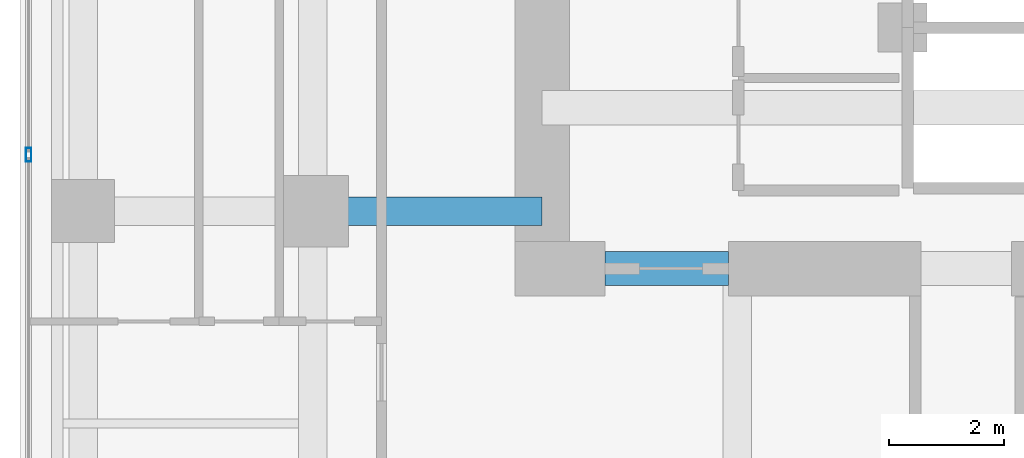
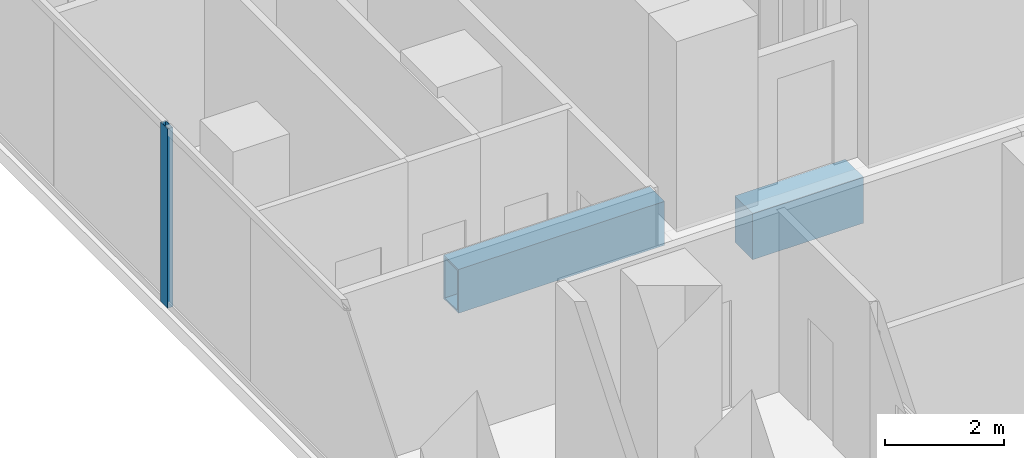
# One storey, part 6 of 29: 2 beams, 1 member, 1 element without a shape of its own.
"""IFC4 building model written with IfcOpenShell, lengths in metres."""

import ifcopenshell
import ifcopenshell.guid

model = None  # the IFC model being written
_history = None  # IfcOwnerHistory: only IFC2X3 demands one
_inside = {}  # id of a spatial element -> (the spatial element, [elements in it])
_under = {}  # id of a project, library or spatial element -> (it, [spatial elements below it])
_declared = {}  # id of a project -> (the project, [libraries it declares])
_typed = {}  # id of a type object -> (the type object, [elements of that type])
_made_of = {}  # id of a material, layer set ... -> (it, [elements and type objects made of it])


def new_model(schema):
    """Start an empty IFC model of exactly this schema.

    Asked for "IFC4X3", IfcOpenShell would pick the latest addendum, in which some entities
    have other attributes; the version numbers below select the first issue.
    IFC2X3 requires an IfcOwnerHistory on every rooted entity: one is made here for all.
    """
    global model, _history
    if schema == "IFC4X3":
        model = ifcopenshell.file(schema_version=(4, 3, 0, 0))
    else:
        model = ifcopenshell.file(schema=schema)
    _inside.clear()
    _under.clear()
    _declared.clear()
    _typed.clear()
    _made_of.clear()
    _history = None
    if model.schema == "IFC2X3":
        org = make("IfcOrganization", Name="unknown")
        user = make(
            "IfcPersonAndOrganization",
            ThePerson=make("IfcPerson", FamilyName="unknown"),
            TheOrganization=org,
        )
        app = make(
            "IfcApplication",
            ApplicationDeveloper=org,
            Version="unknown",
            ApplicationFullName="unknown",
            ApplicationIdentifier="unknown",
        )
        _history = make(
            "IfcOwnerHistory",
            OwningUser=user,
            OwningApplication=app,
            ChangeAction="ADDED",
            CreationDate=0,
        )
    return model


def make(cls, **values):
    """One entity of the class cls with the attributes given. An attribute that is None is left unset."""
    return model.create_entity(
        cls, **{name: value for name, value in values.items() if value is not None}
    )


def rooted(cls, **values):
    """An entity with a GlobalId (a new one), such as an element, a storey or a relation."""
    return make(cls, GlobalId=ifcopenshell.guid.new(), OwnerHistory=_history, **values)


def si_unit(unit_type, name, prefix=None):
    """IfcSIUnit, for example si_unit("LENGTHUNIT", "METRE", prefix="MILLI")."""
    return make("IfcSIUnit", UnitType=unit_type, Prefix=prefix, Name=name)


def assignment(units):
    """IfcUnitAssignment: the units of a project."""
    return None if units is None else make("IfcUnitAssignment", Units=units)


def point(xyz):
    """IfcCartesianPoint."""
    return None if xyz is None else make("IfcCartesianPoint", Coordinates=xyz)


def direction(xyz):
    """IfcDirection."""
    return None if xyz is None else make("IfcDirection", DirectionRatios=xyz)


def frame(location, z_axis=None, x_axis=None):
    """IfcAxis2Placement3D, a coordinate frame: its origin and axes. An axis left out is left unset."""
    return make(
        "IfcAxis2Placement3D",
        Location=point(location),
        Axis=direction(z_axis),
        RefDirection=direction(x_axis),
    )


def frame_2d(location, x_axis=None):
    """IfcAxis2Placement2D, a coordinate frame in the plane: its origin and x axis."""
    return make(
        "IfcAxis2Placement2D", Location=point(location), RefDirection=direction(x_axis)
    )


def origin():
    """The frame at (0, 0, 0) with its axes left unset."""
    return frame((0.0, 0.0, 0.0))


def origin_2d():
    """The frame at (0, 0) in the plane with its x axis left unset."""
    return frame_2d((0.0, 0.0))


def place(relative_to, where):
    """IfcLocalPlacement: puts the frame where relative to a parent placement (None: the world)."""
    return make(
        "IfcLocalPlacement", PlacementRelTo=relative_to, RelativePlacement=where
    )


def context(
    kind, dimensions, precision=None, world=None, true_north=None, identifier=None
):
    """IfcGeometricRepresentationContext, for example the 3D "Model" context."""
    return make(
        "IfcGeometricRepresentationContext",
        ContextIdentifier=identifier,
        ContextType=kind,
        CoordinateSpaceDimension=dimensions,
        Precision=precision,
        WorldCoordinateSystem=world,
        TrueNorth=true_north,
    )


def subcontext(parent, identifier, kind, view, scale=None):
    """IfcGeometricRepresentationSubContext, for example "Body" below "Model"."""
    return make(
        "IfcGeometricRepresentationSubContext",
        ContextIdentifier=identifier,
        ContextType=kind,
        ParentContext=parent,
        TargetScale=scale,
        TargetView=view,
    )


def project(units=None, contexts=None):
    """IfcProject with its units and contexts."""
    return rooted(
        "IfcProject",
        Name="project",
        RepresentationContexts=contexts,
        UnitsInContext=assignment(units),
    )


def spatial(cls, under=None, at=None, **own):
    """A site, building, storey or space (cls), placed at a placement, below another one or the project."""
    s = rooted(cls, ObjectPlacement=at, **own)
    if under is not None:
        _under.setdefault(under.id(), (under, []))[1].append(s)
    return s


def profile(cls, at=None, kind="AREA", **sizes):
    """A parametric profile (cls). Its sizes go by their IFC names, for example OverallWidth=200.0."""
    return make(cls, ProfileType=kind, Position=at, **sizes)


def rectangle(**sizes):
    """IfcRectangleProfileDef."""
    return profile("IfcRectangleProfileDef", **sizes)


def hollow_rectangle(**sizes):
    """IfcRectangleHollowProfileDef."""
    return profile("IfcRectangleHollowProfileDef", **sizes)


def extrude(swept, where, along, depth):
    """IfcExtrudedAreaSolid: the profile swept, set in the frame where, extruded along a direction by depth."""
    return make(
        "IfcExtrudedAreaSolid",
        SweptArea=swept,
        Position=where,
        ExtrudedDirection=direction(along),
        Depth=depth,
    )


def shape(context_of_items, identifier, shape_type, items):
    """IfcShapeRepresentation: the items that make up one representation, for example the "Body"."""
    return make(
        "IfcShapeRepresentation",
        ContextOfItems=context_of_items,
        RepresentationIdentifier=identifier,
        RepresentationType=shape_type,
        Items=items,
    )


def material(Name=None, Category=None):
    """IfcMaterial."""
    return make("IfcMaterial", Name=Name, Category=Category)


def layer(
    of_material, thickness, ventilated=None, Name=None, Category=None, Priority=None
):
    """IfcMaterialLayer: one layer of a wall or slab, of a material (None: an air gap)."""
    return make(
        "IfcMaterialLayer",
        Material=of_material,
        LayerThickness=thickness,
        IsVentilated=ventilated,
        Name=Name,
        Category=Category,
        Priority=Priority,
    )


def layer_set(layers, Name=None):
    """IfcMaterialLayerSet."""
    return make("IfcMaterialLayerSet", MaterialLayers=layers, LayerSetName=Name)


def material_profile(
    of_material, cross_section, Name=None, Category=None, Priority=None
):
    """IfcMaterialProfile: a cross section and its material."""
    return make(
        "IfcMaterialProfile",
        Name=Name,
        Material=of_material,
        Profile=cross_section,
        Priority=Priority,
        Category=Category,
    )


def profile_set(profiles, Name=None, composite=None):
    """IfcMaterialProfileSet."""
    return make(
        "IfcMaterialProfileSet",
        Name=Name,
        MaterialProfiles=profiles,
        CompositeProfile=composite,
    )


def made_of(thing, what):
    """Note that an element or type object is made of a material, layer set ...; save() writes the relation."""
    if what is not None:
        _made_of.setdefault(what.id(), (what, []))[1].append(thing)
    return thing


def type_object(cls, material=None, **own):
    """A type object (cls), such as IfcWallType, which elements share."""
    return made_of(rooted(cls, **own), material)


def element(
    cls,
    number,
    at=None,
    inside=None,
    cuts=None,
    type_object=None,
    material=None,
    context=None,
    identifier="Body",
    shape_type=None,
    held_by="IfcProductDefinitionShape",
    body=None,
    shapes=None,
    **own,
):
    """One element of the class cls, such as IfcWall. Its Tag is "e" and its number.

    at: its placement. inside: the storey or other place that contains it. cuts: it is an
    opening in that element (IfcRelVoidsElement). A single representation is given by context,
    identifier, shape_type and body (its items); several are given by shapes. held_by: the class
    of the entity that holds the representations. save() writes the other relations.
    """
    e = rooted(cls, Tag="e%d" % number, ObjectPlacement=at, **own)
    if body is not None:
        shapes = [shape(context, identifier, shape_type, body)]
    if shapes is not None:
        e.Representation = make(held_by, Representations=shapes)
    if inside is not None:
        _inside.setdefault(inside.id(), (inside, []))[1].append(e)
    if cuts is not None:
        rooted(
            "IfcRelVoidsElement", RelatingBuildingElement=cuts, RelatedOpeningElement=e
        )
    if type_object is not None:
        _typed.setdefault(type_object.id(), (type_object, []))[1].append(e)
    return made_of(e, material)


def aggregate(whole, parts):
    """IfcRelAggregates: a whole, such as a stair, and the parts it consists of."""
    return rooted("IfcRelAggregates", RelatingObject=whole, RelatedObjects=parts)


def save(model, path):
    """Write the relations noted so far, then the file.

    IfcRelAggregates (storeys below a building ...), IfcRelContainedInSpatialStructure (elements
    in a storey), IfcRelDefinesByType, IfcRelAssociatesMaterial and IfcRelDeclares: one each for
    every whole, place, type object, material and project.
    """
    for whole, parts in _under.values():
        aggregate(whole, parts)
    for where, things in _inside.values():
        rooted(
            "IfcRelContainedInSpatialStructure",
            RelatedElements=things,
            RelatingStructure=where,
        )
    for kind, things in _typed.values():
        rooted("IfcRelDefinesByType", RelatedObjects=things, RelatingType=kind)
    for what, things in _made_of.values():
        rooted("IfcRelAssociatesMaterial", RelatedObjects=things, RelatingMaterial=what)
    for by, libraries in _declared.values():
        rooted("IfcRelDeclares", RelatingContext=by, RelatedDefinitions=libraries)
    model.write(path)


model = new_model("IFC4")

# Units and contexts
model_context = context("Model", 3, precision=1e-05, world=origin(), true_north=direction((0.0, 1.0)))
body_context = subcontext(model_context, "Body", "Model", "MODEL_VIEW")
ifc_project = project(units=[si_unit("LENGTHUNIT", "METRE"), si_unit("AREAUNIT", "SQUARE_METRE"), si_unit("VOLUMEUNIT", "CUBIC_METRE"), si_unit("PLANEANGLEUNIT", "RADIAN"), si_unit("MASSUNIT", "GRAM", prefix="KILO")], contexts=[model_context])

# Site, building, storey
site_placement = place(None, origin())
site = spatial("IfcSite", under=ifc_project, at=site_placement, CompositionType="ELEMENT")
building_placement = place(site_placement, origin())
building = spatial("IfcBuilding", under=site, at=building_placement, Name="Khorvyn Point Tower", CompositionType="ELEMENT")
storey_placement = place(building_placement, frame((0.0, 0.0, 136.800048828125)))
storey = spatial("IfcBuildingStorey", under=building, at=storey_placement, Name="L34", CompositionType="ELEMENT", Elevation=136.800048828125)

# Curtain wall, member
ifc_material_1 = material(Name="Anodised aluminium 6063-T6 and laminated Low-E glass", Category="aluminium")
ifc_layer = layer(ifc_material_1, 0.18994140625)
ifc_layer_set = layer_set([ifc_layer], Name="Stick-Built Acoustic Curtain Wall CW-SYS-03")
curtain_wall_type = type_object("IfcCurtainWallType", Name="Stick-Built Acoustic Curtain Wall CW-SYS-03", PredefinedType="NOTDEFINED", material=ifc_layer_set)
curtain_wall_placement = place(storey_placement, origin())
curtain_wall = element("IfcCurtainWall", 1, at=curtain_wall_placement, inside=storey, type_object=curtain_wall_type, Name="Curtain Wall", PredefinedType="NOTDEFINED")
ifc_material_2 = material(Name="Anodised aluminium 6063-T6", Category="aluminium")
ifc_material_profile_1 = material_profile(ifc_material_2, hollow_rectangle(XDim=0.10009765625, YDim=0.239990234375, WallThickness=0.0048828125, at=origin_2d()))
ifc_profile_set_1 = profile_set([ifc_material_profile_1], Name="Anodised aluminium 6063-T6 ALU-MUL-100x240")
member_type = type_object("IfcMemberType", Name="Anodised Aluminium 6063-T6 Mullion ALU-MUL-100x240", PredefinedType="MULLION", material=ifc_profile_set_1)
member_placement = place(storey_placement, frame((-19.75, -6.416748046875, 0.0), z_axis=(0.0, 0.0, 1.0), x_axis=(-1.0, 0.0, 0.0)))
member = element("IfcMember", 2, at=member_placement, type_object=member_type, Name="Transom", PredefinedType="MULLION", context=body_context, shape_type="SweptSolid", body=[
    extrude(hollow_rectangle(XDim=0.10009765625, YDim=0.239990234375, WallThickness=0.0048828125, at=origin_2d()), origin(), (0.0, 0.0, 1.0), 3.679931640625),
])
aggregate(curtain_wall, [member])

# Beams
ifc_material_3 = material(Name="Concrete C50/60", Category="concrete")
ifc_material_profile_2 = material_profile(ifc_material_3, rectangle(XDim=0.60009765625, YDim=0.949951171875, at=origin_2d()))
ifc_profile_set_2 = profile_set([ifc_material_profile_2], Name="Concrete C50/60 RC600x950")
beam_type_1 = type_object("IfcBeamType", Name="Concrete C50/60 Beam RC600x950", PredefinedType="BEAM", material=ifc_profile_set_2)
beam_1_placement = place(storey_placement, frame((-9.699951171875, -8.39990234375, -0.755126953125), z_axis=(1.0, 0.0, 0.0), x_axis=(0.0, 1.0, 0.0)))
element("IfcBeam", 3, at=beam_1_placement, inside=storey, type_object=beam_type_1, Name="L34 Core Southwest Portal Coupling Beam", PredefinedType="BEAM", context=body_context, shape_type="SweptSolid", body=[
    extrude(rectangle(XDim=0.60009765625, YDim=0.949951171875, at=origin_2d()), origin(), (0.0, 0.0, 1.0), 2.14990234375),
])
ifc_material_4 = material(Name="Steel S450", Category="steel")
ifc_material_profile_3 = material_profile(ifc_material_4, hollow_rectangle(XDim=0.5, YDim=0.89990234375, WallThickness=0.0400390625, at=origin_2d()))
ifc_profile_set_3 = profile_set([ifc_material_profile_3], Name="Steel S450 BOX900x500x40")
beam_type_2 = type_object("IfcBeamType", Name="Steel S450 Beam BOX900x500x40", PredefinedType="BEAM", material=ifc_profile_set_3)
beam_2_placement = place(storey_placement, frame((-14.800048828125, -7.39990234375, -0.72998046875), z_axis=(1.0, 0.0, 0.0), x_axis=(0.0, 1.0, 0.0)))
element("IfcBeam", 4, at=beam_2_placement, inside=storey, type_object=beam_type_2, Name="Beam", PredefinedType="BEAM", context=body_context, shape_type="SweptSolid", body=[
    extrude(hollow_rectangle(XDim=0.5, YDim=0.89990234375, WallThickness=0.0400390625, at=origin_2d()), origin(), (0.0, 0.0, 1.0), 4.0),
])

save(model, "model.ifc")
